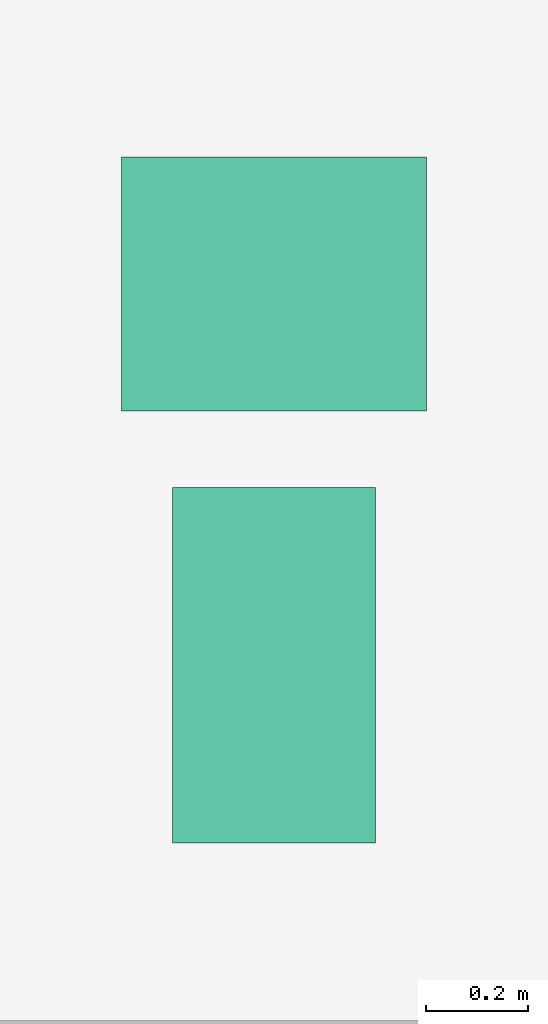
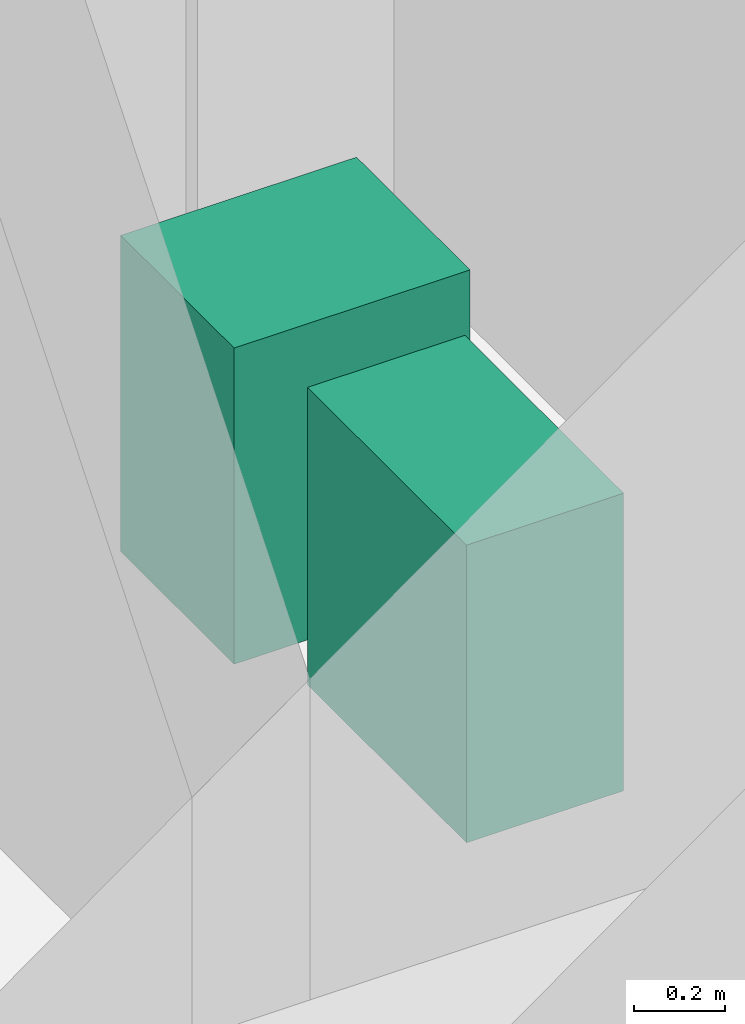
# One storey, part 13 of 13: 2 sanitary terminals.
"""IFC4 building model written with IfcOpenShell, lengths in metres."""

from ifc_helpers import new_model, si_unit, direction, frame, origin, origin_2d, place, context, subcontext, project, spatial, rectangle, extrude, element, save


model = new_model("IFC4")

# Units and contexts
model_context = context("Model", 3, precision=1e-05, world=origin(), true_north=direction((0.0, 1.0)))
body_context = subcontext(model_context, "Body", "Model", "MODEL_VIEW")
ifc_project = project(units=[si_unit("LENGTHUNIT", "METRE"), si_unit("AREAUNIT", "SQUARE_METRE"), si_unit("VOLUMEUNIT", "CUBIC_METRE"), si_unit("PLANEANGLEUNIT", "RADIAN"), si_unit("MASSUNIT", "GRAM", prefix="KILO")], contexts=[model_context])

# Site, building, storey
site_placement = place(None, origin())
site = spatial("IfcSite", under=ifc_project, at=site_placement, CompositionType="ELEMENT")
building_placement = place(site_placement, origin())
building = spatial("IfcBuilding", under=site, at=building_placement, Name="Loomwork Tower", CompositionType="ELEMENT")
storey_placement = place(building_placement, frame((0.0, 0.0, 221.60009765625)))
storey = spatial("IfcBuildingStorey", under=building, at=storey_placement, Name="L61", CompositionType="ELEMENT", Elevation=221.60009765625)

# Sanitary terminals
sanitary_terminal_1_placement = place(storey_placement, frame((15.35009765625, 12.10009765625, 0.0), z_axis=(0.0, 0.0, 1.0), x_axis=(1.0, 0.0, 0.0)))
element("IfcSanitaryTerminal", 1, at=sanitary_terminal_1_placement, inside=storey, Name="WC L61", PredefinedType="TOILETPAN", context=body_context, shape_type="SweptSolid", body=[
    extrude(rectangle(XDim=0.39990234375, YDim=0.699951171875, at=origin_2d()), origin(), (0.0, 0.0, 1.0), 0.800048828125),
])
sanitary_terminal_2_placement = place(storey_placement, frame((15.35009765625, 12.85009765625, -0.000244140625), z_axis=(0.0, 0.0, 1.0), x_axis=(1.0, 0.0, 0.0)))
element("IfcSanitaryTerminal", 2, at=sanitary_terminal_2_placement, inside=storey, Name="Basin L61", PredefinedType="WASHHANDBASIN", context=body_context, shape_type="SweptSolid", body=[
    extrude(rectangle(XDim=0.60009765625, YDim=0.5, at=origin_2d()), origin(), (0.0, 0.0, 1.0), 0.85009765625),
])

save(model, "model.ifc")
